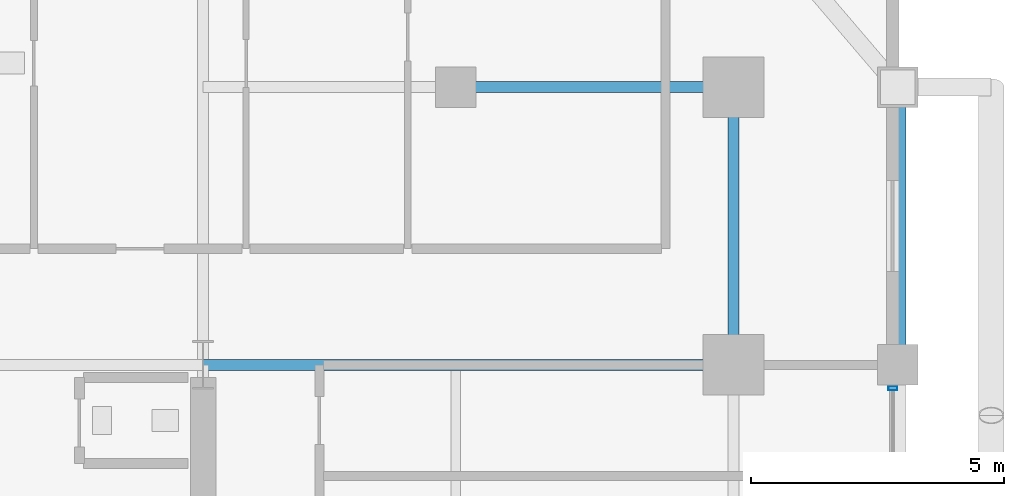
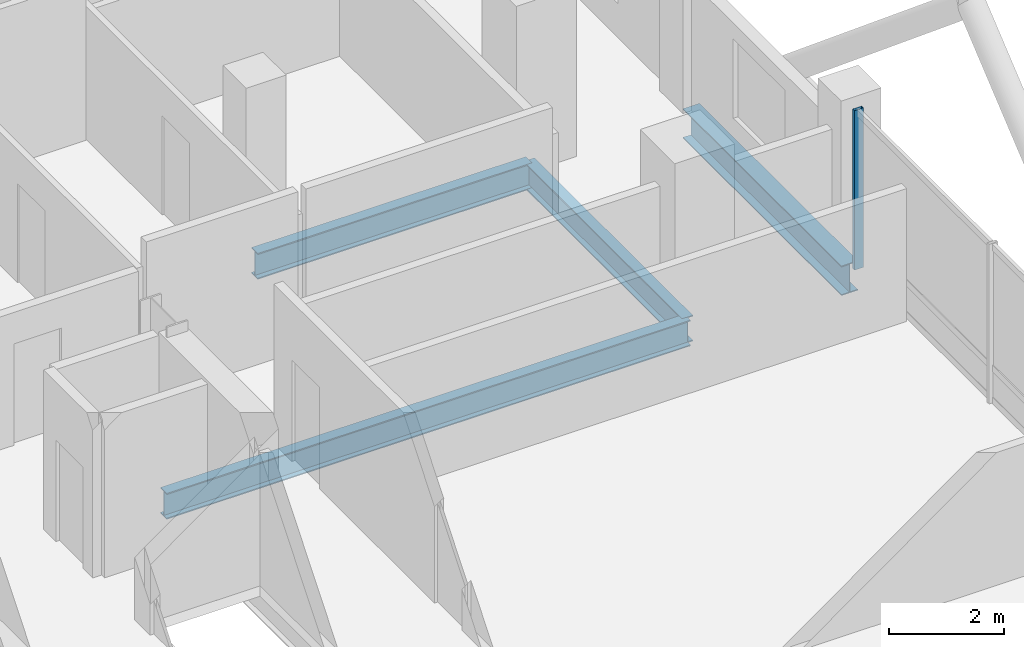
# One storey, part 17 of 25: 4 beams, 1 member, 1 element without a shape of its own.
"""IFC4 building model written with IfcOpenShell, lengths in metres."""

from ifc_helpers import new_model, si_unit, direction, frame, origin, origin_2d, place, context, subcontext, project, spatial, hollow_rectangle, i_section, extrude, material, layer, layer_set, material_profile, profile_set, type_object, element, aggregate, save


model = new_model("IFC4")

# Units and contexts
model_context = context("Model", 3, precision=1e-05, world=origin(), true_north=direction((0.0, 1.0)))
body_context = subcontext(model_context, "Body", "Model", "MODEL_VIEW")
ifc_project = project(units=[si_unit("LENGTHUNIT", "METRE"), si_unit("AREAUNIT", "SQUARE_METRE"), si_unit("VOLUMEUNIT", "CUBIC_METRE"), si_unit("PLANEANGLEUNIT", "RADIAN"), si_unit("MASSUNIT", "GRAM", prefix="KILO")], contexts=[model_context])

# Site, building, storey
site_placement = place(None, origin())
site = spatial("IfcSite", under=ifc_project, at=site_placement, CompositionType="ELEMENT")
building_placement = place(site_placement, origin())
building = spatial("IfcBuilding", under=site, at=building_placement, Name="Barlavira Tower and Art Museum", CompositionType="ELEMENT")
storey_placement = place(building_placement, frame((0.0, 0.0, 133.199951171875)))
storey = spatial("IfcBuildingStorey", under=building, at=storey_placement, Name="L33", CompositionType="ELEMENT", Elevation=133.199951171875)

# Curtain wall, member
ifc_material_1 = material(Name="Low-iron coastal laminated glass", Category="glass")
ifc_layer = layer(ifc_material_1, 0.18994140625, Name="Low-iron coastal laminated glass")
ifc_layer_set = layer_set([ifc_layer], Name="Low-iron coastal laminated glass")
curtain_wall_type = type_object("IfcCurtainWallType", Name="Pale-Metal Unitised Curtain Wall Zone 2", PredefinedType="NOTDEFINED", material=ifc_layer_set)
curtain_wall_placement = place(storey_placement, origin())
curtain_wall = element("IfcCurtainWall", 1, at=curtain_wall_placement, inside=storey, type_object=curtain_wall_type, Name="L33 Curtain Wall CW2-L33-E-B3", PredefinedType="NOTDEFINED")
ifc_material_2 = material(Name="Pale anodised aluminium", Category="aluminium")
ifc_material_profile_1 = material_profile(ifc_material_2, hollow_rectangle(XDim=0.06494140625, YDim=0.179931640625, WallThickness=0.00390625, at=origin_2d()), Name="ALU-MULL 65x180x4")
ifc_profile_set_1 = profile_set([ifc_material_profile_1], Name="Pale anodised aluminium")
member_type = type_object("IfcMemberType", Name="Curtain Wall Pale-Metal Mullion 65x180", PredefinedType="MULLION", material=ifc_profile_set_1)
member_placement = place(storey_placement, frame((20.14990234375, 7.034912109375, 0.0), z_axis=(0.0, 0.0, 1.0), x_axis=(0.0, 1.0, 0.0)))
member = element("IfcMember", 2, at=member_placement, type_object=member_type, Name="CW2-L33-E-B3 Mullion 3", PredefinedType="MULLION", context=body_context, shape_type="SweptSolid", body=[
    extrude(hollow_rectangle(XDim=0.06494140625, YDim=0.179931640625, WallThickness=0.00390625, at=origin_2d()), origin(), (0.0, 0.0, 1.0), 3.380126953125),
])
aggregate(curtain_wall, [member])

# Beams
ifc_material_3 = material(Name="Steel S355", Category="steel")
ifc_material_profile_2 = material_profile(ifc_material_3, i_section(OverallWidth=0.327880859375, OverallDepth=0.62890625, WebThickness=0.013916015625, FlangeThickness=0.021484375, at=origin_2d()), Name="W610x174.0")
ifc_profile_set_2 = profile_set([ifc_material_profile_2], Name="Steel S355")
beam_type_1 = type_object("IfcBeamType", Name="Perimeter Spandrel Edge Beam W610x174 Steel S355", PredefinedType="SPANDREL", material=ifc_profile_set_2)
beam_1_placement = place(storey_placement, frame((20.25, 7.5, -0.534423828125), z_axis=(0.0, 1.0, 0.0), x_axis=(-1.0, 0.0, 0.0)))
element("IfcBeam", 3, at=beam_1_placement, inside=storey, type_object=beam_type_1, Name="L33 Spandrel 7", PredefinedType="SPANDREL", context=body_context, shape_type="SweptSolid", body=[
    extrude(i_section(OverallWidth=0.327880859375, OverallDepth=0.62890625, WebThickness=0.013916015625, FlangeThickness=0.021484375, at=origin_2d()), origin(), (0.0, 0.0, 1.0), 5.5),
])
ifc_material_profile_3 = material_profile(ifc_material_3, i_section(OverallWidth=0.214111328125, OverallDepth=0.549072265625, WebThickness=0.0146484375, FlangeThickness=0.023681640625, at=origin_2d()), Name="W530x138.0")
ifc_profile_set_3 = profile_set([ifc_material_profile_3], Name="Steel S355")
beam_type_2 = type_object("IfcBeamType", Name="Zone 1 Primary Floor Girder W530x138 Steel S355", PredefinedType="BEAM", material=ifc_profile_set_3)
beam_2_placement = place(storey_placement, frame((17.0, 7.5, -0.494384765625), z_axis=(0.0, 1.0, 0.0), x_axis=(-1.0, 0.0, 0.0)))
element("IfcBeam", 4, at=beam_2_placement, inside=storey, type_object=beam_type_2, Name="L33 Girder M-E3", PredefinedType="BEAM", context=body_context, shape_type="SweptSolid", body=[
    extrude(i_section(OverallWidth=0.214111328125, OverallDepth=0.549072265625, WebThickness=0.0146484375, FlangeThickness=0.023681640625, at=origin_2d()), origin(), (0.0, 0.0, 1.0), 5.5),
])
beam_3_placement = place(storey_placement, frame((6.5, 7.5, -0.494384765625), z_axis=(1.0, 0.0, 0.0), x_axis=(0.0, 1.0, 0.0)))
element("IfcBeam", 5, at=beam_3_placement, inside=storey, type_object=beam_type_2, Name="L33 Girder R-E2", PredefinedType="BEAM", context=body_context, shape_type="SweptSolid", body=[
    extrude(i_section(OverallWidth=0.214111328125, OverallDepth=0.549072265625, WebThickness=0.0146484375, FlangeThickness=0.023681640625, at=origin_2d()), origin(), (0.0, 0.0, 1.0), 10.5),
])
beam_4_placement = place(storey_placement, frame((11.5, 13.0, -0.494384765625), z_axis=(1.0, 0.0, 0.0), x_axis=(0.0, 1.0, 0.0)))
element("IfcBeam", 6, at=beam_4_placement, inside=storey, type_object=beam_type_2, Name="L33 Girder I-N4", PredefinedType="BEAM", context=body_context, shape_type="SweptSolid", body=[
    extrude(i_section(OverallWidth=0.214111328125, OverallDepth=0.549072265625, WebThickness=0.0146484375, FlangeThickness=0.023681640625, at=origin_2d()), origin(), (0.0, 0.0, 1.0), 5.5),
])

save(model, "model.ifc")
